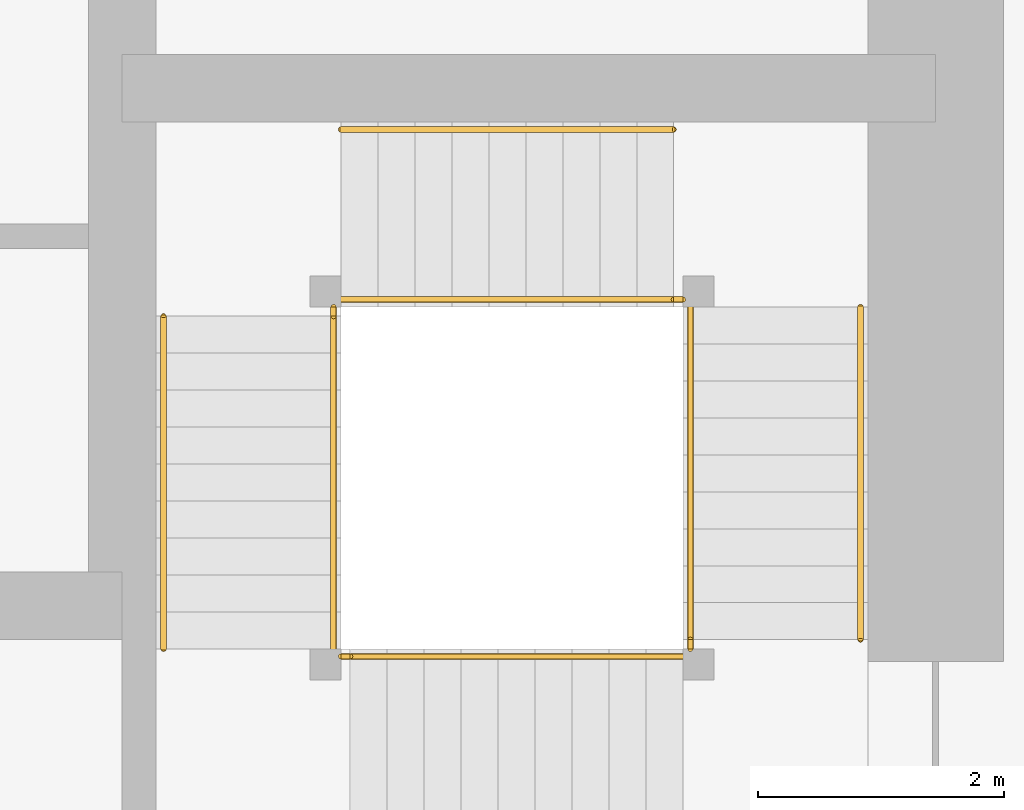
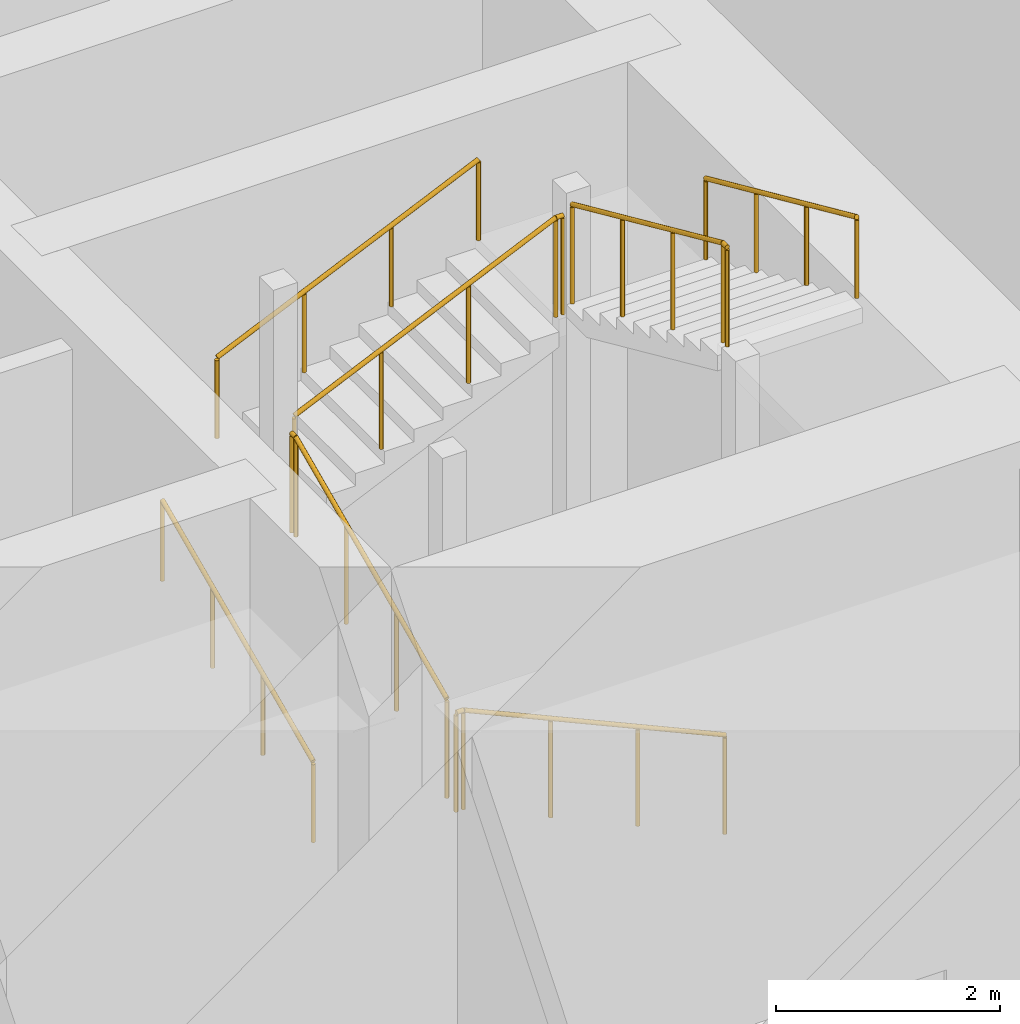
# One storey, part 49 of 81: 11 railings.
"""IFC4 building model written with IfcOpenShell, lengths in metres."""

from ifc_helpers import new_model, si_unit, direction, frame, origin, origin_2d, place, context, subcontext, project, spatial, circle, extrude, material, type_object, element, save


model = new_model("IFC4")

# Units and contexts
model_context = context("Model", 3, precision=1e-05, world=origin(), true_north=direction((0.0, 1.0)))
body_context = subcontext(model_context, "Body", "Model", "MODEL_VIEW")
ifc_project = project(units=[si_unit("LENGTHUNIT", "METRE"), si_unit("AREAUNIT", "SQUARE_METRE"), si_unit("VOLUMEUNIT", "CUBIC_METRE"), si_unit("PLANEANGLEUNIT", "RADIAN"), si_unit("MASSUNIT", "GRAM", prefix="KILO")], contexts=[model_context])

# Site, building, storey
site_placement = place(None, origin())
site = spatial("IfcSite", under=ifc_project, at=site_placement, CompositionType="ELEMENT")
building_placement = place(site_placement, origin())
building = spatial("IfcBuilding", under=site, at=building_placement, Name="Rekha Terrace Tower", CompositionType="ELEMENT")
storey_placement = place(building_placement, origin())
storey = spatial("IfcBuildingStorey", under=building, at=storey_placement, Name="L00", CompositionType="ELEMENT", Elevation=0.0)

# Railings
ifc_material_1 = material(Name="Stainless steel balustrade", Category="steel")
railing_type_1 = type_object("IfcRailingType", Name="GR1 1100 stair guard", PredefinedType="GUARDRAIL", material=ifc_material_1)
railing_1_placement = place(storey_placement, frame((48.35009765625, 22.989990234375, 0.135009765625)))
element("IfcRailing", 1, at=railing_1_placement, inside=storey, type_object=railing_type_1, Name="Guard ST3 L00 flight 1", PredefinedType="GUARDRAIL", context=body_context, shape_type="SweptSolid", body=[
    extrude(circle(Radius=0.02392578125, at=origin_2d()), frame((0.0, 0.0, 1.076171875), z_axis=(-0.911921505175, 0.0, 0.410364677329), x_axis=(0.0, -1.0, 0.0)), (0.0, 0.0, 1.0), 2.9609375),
    extrude(circle(Radius=0.02099609375, at=origin_2d()), origin(), (0.0, 0.0, 1.0), 1.052001953125),
    extrude(circle(Radius=0.02099609375, at=origin_2d()), frame((-0.900146484375, 0.0, 0.405029296875)), (0.0, 0.0, 1.0), 1.052001953125),
    extrude(circle(Radius=0.02099609375, at=origin_2d()), frame((-1.800048828125, 0.0, 0.81005859375)), (0.0, 0.0, 1.0), 1.052001953125),
    extrude(circle(Radius=0.02099609375, at=origin_2d()), frame((-2.7001953125, 0.0, 1.215087890625)), (0.0, 0.0, 1.0), 1.052001953125),
])
railing_2_placement = place(storey_placement, frame((45.514892578125, 23.050048828125, 1.485107421875)))
element("IfcRailing", 2, at=railing_2_placement, inside=storey, type_object=railing_type_1, Name="Guard ST3 L00 flight 2", PredefinedType="GUARDRAIL", context=body_context, shape_type="SweptSolid", body=[
    extrude(circle(Radius=0.02392578125, at=origin_2d()), frame((0.0, 0.0, 1.076171875), z_axis=(0.0, 0.91193847666, 0.410326960834), x_axis=(-1.0, 0.0, 0.0)), (0.0, 0.0, 1.0), 2.960693359375),
    extrude(circle(Radius=0.02099609375, at=origin_2d()), origin(), (0.0, 0.0, 1.0), 1.052001953125),
    extrude(circle(Radius=0.02099609375, at=origin_2d()), frame((0.0, 0.89990234375, 0.405029296875)), (0.0, 0.0, 1.0), 1.052001953125),
    extrude(circle(Radius=0.02099609375, at=origin_2d()), frame((0.0, 1.800048828125, 0.809814453125)), (0.0, 0.0, 1.0), 1.052001953125),
    extrude(circle(Radius=0.02099609375, at=origin_2d()), frame((0.0, 2.699951171875, 1.21484375)), (0.0, 0.0, 1.0), 1.052001953125),
])
railing_3_placement = place(storey_placement, frame((45.574951171875, 25.885009765625, 2.8349609375)))
element("IfcRailing", 3, at=railing_3_placement, inside=storey, type_object=railing_type_1, Name="Guard ST3 L00 flight 3", PredefinedType="GUARDRAIL", context=body_context, shape_type="SweptSolid", body=[
    extrude(circle(Radius=0.02392578125, at=origin_2d()), frame((0.0, 0.0, 1.076171875), z_axis=(0.911907618724, 0.0, 0.410395534713), x_axis=(0.0, 1.0, 0.0)), (0.0, 0.0, 1.0), 2.960693359375),
    extrude(circle(Radius=0.02099609375, at=origin_2d()), origin(), (0.0, 0.0, 1.0), 1.052001953125),
    extrude(circle(Radius=0.02099609375, at=origin_2d()), frame((0.89990234375, 0.0, 0.405029296875)), (0.0, 0.0, 1.0), 1.052001953125),
    extrude(circle(Radius=0.02099609375, at=origin_2d()), frame((1.800048828125, 0.0, 0.81005859375)), (0.0, 0.0, 1.0), 1.052001953125),
    extrude(circle(Radius=0.02099609375, at=origin_2d()), frame((2.699951171875, 0.0, 1.215087890625)), (0.0, 0.0, 1.0), 1.052001953125),
])
railing_4_placement = place(storey_placement, frame((48.409912109375, 25.824951171875, 4.18505859375)))
element("IfcRailing", 4, at=railing_4_placement, inside=storey, type_object=railing_type_1, Name="Guard ST3 L00 flight 4", PredefinedType="GUARDRAIL", context=body_context, shape_type="SweptSolid", body=[
    extrude(circle(Radius=0.02392578125, at=origin_2d()), frame((0.0, 0.0, 1.076171875), z_axis=(0.0, -0.91193847666, 0.410326960834), x_axis=(1.0, 0.0, 0.0)), (0.0, 0.0, 1.0), 2.960693359375),
    extrude(circle(Radius=0.02099609375, at=origin_2d()), origin(), (0.0, 0.0, 1.0), 1.052001953125),
    extrude(circle(Radius=0.02099609375, at=origin_2d()), frame((0.0, -0.89990234375, 0.405029296875)), (0.0, 0.0, 1.0), 1.052001953125),
    extrude(circle(Radius=0.02099609375, at=origin_2d()), frame((0.0, -1.800048828125, 0.809814453125)), (0.0, 0.0, 1.0), 1.052001953125),
    extrude(circle(Radius=0.02099609375, at=origin_2d()), frame((0.0, -2.699951171875, 1.21484375)), (0.0, 0.0, 1.0), 1.052001953125),
])
railing_5_placement = place(storey_placement, frame((45.64990234375, 22.989990234375, 1.35009765625)))
element("IfcRailing", 5, at=railing_5_placement, inside=storey, type_object=railing_type_1, Name="Guard ST3 L00 landing 1", PredefinedType="GUARDRAIL", context=body_context, shape_type="SweptSolid", body=[
    extrude(circle(Radius=0.02392578125, at=origin_2d()), frame((0.0, 0.0, 1.076171875), z_axis=(-1.0, 0.0, 0.0), x_axis=(0.0, -1.0, 0.0)), (0.0, 0.0, 1.0), 0.074951171875),
    extrude(circle(Radius=0.02099609375, at=origin_2d()), origin(), (0.0, 0.0, 1.0), 1.052001953125),
    extrude(circle(Radius=0.02099609375, at=origin_2d()), frame((-0.074951171875, 0.0, 0.0)), (0.0, 0.0, 1.0), 1.052001953125),
])
railing_6_placement = place(storey_placement, frame((45.514892578125, 25.75, 2.699951171875)))
element("IfcRailing", 6, at=railing_6_placement, inside=storey, type_object=railing_type_1, Name="Guard ST3 L00 landing 2", PredefinedType="GUARDRAIL", context=body_context, shape_type="SweptSolid", body=[
    extrude(circle(Radius=0.02392578125, at=origin_2d()), frame((0.0, 0.0, 1.076171875), z_axis=(0.0, 1.0, 0.0), x_axis=(-1.0, 0.0, 0.0)), (0.0, 0.0, 1.0), 0.074951171875),
    extrude(circle(Radius=0.02099609375, at=origin_2d()), origin(), (0.0, 0.0, 1.0), 1.052001953125),
    extrude(circle(Radius=0.02099609375, at=origin_2d()), frame((0.0, 0.074951171875, 0.0)), (0.0, 0.0, 1.0), 1.052001953125),
])
railing_7_placement = place(storey_placement, frame((48.35009765625, 25.885009765625, 4.050048828125)))
element("IfcRailing", 7, at=railing_7_placement, inside=storey, type_object=railing_type_1, Name="Guard ST3 L00 landing 3", PredefinedType="GUARDRAIL", context=body_context, shape_type="SweptSolid", body=[
    extrude(circle(Radius=0.02392578125, at=origin_2d()), frame((0.0, 0.0, 1.076171875), z_axis=(-1.0, 0.0, 0.0), x_axis=(0.0, -1.0, 0.0)), (0.0, 0.0, 1.0), 0.0751953125),
    extrude(circle(Radius=0.02099609375, at=origin_2d()), origin(), (0.0, 0.0, 1.0), 1.052001953125),
    extrude(circle(Radius=0.02099609375, at=origin_2d()), frame((-0.0751953125, 0.0, 0.0)), (0.0, 0.0, 1.0), 1.052001953125),
])
railing_8_placement = place(storey_placement, frame((48.409912109375, 23.050048828125, 5.39990234375)))
element("IfcRailing", 8, at=railing_8_placement, inside=storey, type_object=railing_type_1, Name="Guard ST3 L00 landing 4", PredefinedType="GUARDRAIL", context=body_context, shape_type="SweptSolid", body=[
    extrude(circle(Radius=0.02392578125, at=origin_2d()), frame((0.0, 0.0, 1.076171875), z_axis=(0.0, 1.0, 0.0), x_axis=(-1.0, 0.0, 0.0)), (0.0, 0.0, 1.0), 0.074951171875),
    extrude(circle(Radius=0.02099609375, at=origin_2d()), origin(), (0.0, 0.0, 1.0), 1.052001953125),
    extrude(circle(Radius=0.02099609375, at=origin_2d()), frame((0.0, 0.074951171875, 0.0)), (0.0, 0.0, 1.0), 1.052001953125),
])
ifc_material_2 = material(Name="Stainless steel tube", Category="steel")
railing_type_2 = type_object("IfcRailingType", Name="HR1 900 stair handrail", PredefinedType="HANDRAIL", material=ifc_material_2)
railing_9_placement = place(storey_placement, frame((44.135009765625, 23.050048828125, 1.485107421875)))
element("IfcRailing", 9, at=railing_9_placement, inside=storey, type_object=railing_type_2, Name="Handrail ST3 L00 flight 2", PredefinedType="HANDRAIL", context=body_context, shape_type="SweptSolid", body=[
    extrude(circle(Radius=0.02392578125, at=origin_2d()), frame((0.0, 0.0, 0.8759765625), z_axis=(0.0, 0.91193847666, 0.410326960834), x_axis=(-1.0, 0.0, 0.0)), (0.0, 0.0, 1.0), 2.960693359375),
    extrude(circle(Radius=0.02099609375, at=origin_2d()), origin(), (0.0, 0.0, 1.0), 0.851806640625),
    extrude(circle(Radius=0.02099609375, at=origin_2d()), frame((0.0, 0.89990234375, 0.405029296875)), (0.0, 0.0, 1.0), 0.851806640625),
    extrude(circle(Radius=0.02099609375, at=origin_2d()), frame((0.0, 1.800048828125, 0.809814453125)), (0.0, 0.0, 1.0), 0.851806640625),
    extrude(circle(Radius=0.02099609375, at=origin_2d()), frame((0.0, 2.699951171875, 1.21484375)), (0.0, 0.0, 1.0), 0.851806640625),
])
railing_10_placement = place(storey_placement, frame((45.574951171875, 27.264892578125, 2.8349609375)))
element("IfcRailing", 10, at=railing_10_placement, inside=storey, type_object=railing_type_2, Name="Handrail ST3 L00 flight 3", PredefinedType="HANDRAIL", context=body_context, shape_type="SweptSolid", body=[
    extrude(circle(Radius=0.02392578125, at=origin_2d()), frame((0.0, 0.0, 0.8759765625), z_axis=(0.911907618724, 0.0, 0.410395534713), x_axis=(0.0, 1.0, 0.0)), (0.0, 0.0, 1.0), 2.960693359375),
    extrude(circle(Radius=0.02099609375, at=origin_2d()), origin(), (0.0, 0.0, 1.0), 0.851806640625),
    extrude(circle(Radius=0.02099609375, at=origin_2d()), frame((0.89990234375, 0.0, 0.405029296875)), (0.0, 0.0, 1.0), 0.851806640625),
    extrude(circle(Radius=0.02099609375, at=origin_2d()), frame((1.800048828125, 0.0, 0.81005859375)), (0.0, 0.0, 1.0), 0.851806640625),
    extrude(circle(Radius=0.02099609375, at=origin_2d()), frame((2.699951171875, 0.0, 1.215087890625)), (0.0, 0.0, 1.0), 0.851806640625),
])
railing_11_placement = place(storey_placement, frame((49.7900390625, 25.824951171875, 4.18505859375)))
element("IfcRailing", 11, at=railing_11_placement, inside=storey, type_object=railing_type_2, Name="Handrail ST3 L00 flight 4", PredefinedType="HANDRAIL", context=body_context, shape_type="SweptSolid", body=[
    extrude(circle(Radius=0.02392578125, at=origin_2d()), frame((0.0, 0.0, 0.8759765625), z_axis=(0.0, -0.91193847666, 0.410326960834), x_axis=(1.0, 0.0, 0.0)), (0.0, 0.0, 1.0), 2.960693359375),
    extrude(circle(Radius=0.02099609375, at=origin_2d()), origin(), (0.0, 0.0, 1.0), 0.851806640625),
    extrude(circle(Radius=0.02099609375, at=origin_2d()), frame((0.0, -0.89990234375, 0.405029296875)), (0.0, 0.0, 1.0), 0.851806640625),
    extrude(circle(Radius=0.02099609375, at=origin_2d()), frame((0.0, -1.800048828125, 0.809814453125)), (0.0, 0.0, 1.0), 0.851806640625),
    extrude(circle(Radius=0.02099609375, at=origin_2d()), frame((0.0, -2.699951171875, 1.21484375)), (0.0, 0.0, 1.0), 0.851806640625),
])

save(model, "model.ifc")
